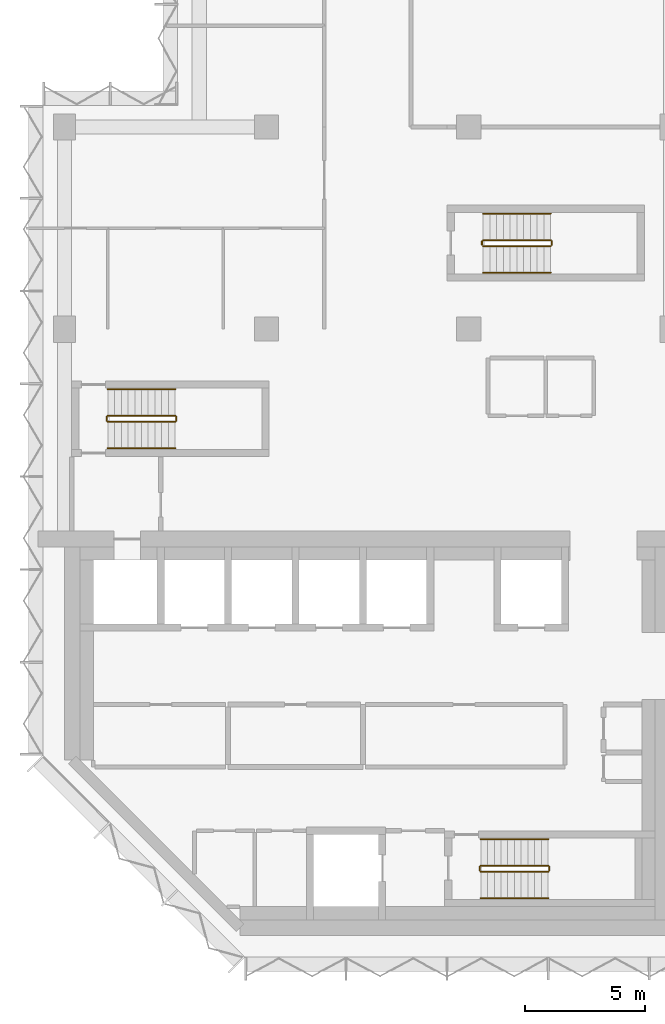
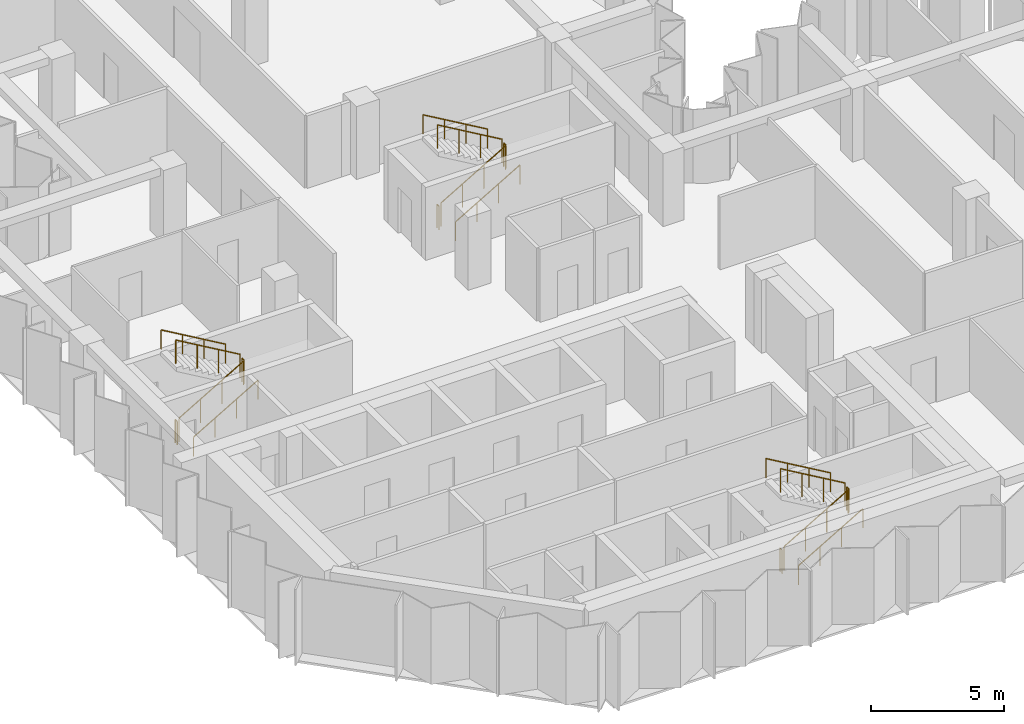
# One storey, part 9 of 10: 18 railings.
"""IFC4 building model written with IfcOpenShell, lengths in metres."""

from ifc_helpers import new_model, si_unit, direction, frame, origin, origin_2d, place, context, subcontext, project, spatial, circle, extrude, material, type_object, element, save


model = new_model("IFC4")

# Units and contexts
model_context = context("Model", 3, precision=1e-05, world=origin(), true_north=direction((0.0, 1.0)))
body_context = subcontext(model_context, "Body", "Model", "MODEL_VIEW")
ifc_project = project(units=[si_unit("LENGTHUNIT", "METRE"), si_unit("AREAUNIT", "SQUARE_METRE"), si_unit("VOLUMEUNIT", "CUBIC_METRE"), si_unit("PLANEANGLEUNIT", "RADIAN"), si_unit("MASSUNIT", "GRAM", prefix="KILO")], contexts=[model_context])

# Site, building, storey
site_placement = place(None, origin())
site = spatial("IfcSite", under=ifc_project, at=site_placement, CompositionType="ELEMENT")
building_placement = place(site_placement, origin())
building = spatial("IfcBuilding", under=site, at=building_placement, Name="Brevane Broadcast Tower", CompositionType="ELEMENT")
storey_placement = place(building_placement, frame((0.0, 0.0, 170.39990234375)))
storey = spatial("IfcBuildingStorey", under=building, at=storey_placement, Name="L42", CompositionType="ELEMENT", Elevation=170.39990234375)

# Railings
ifc_material = material(Name="Steel S355", Category="steel")
railing_type_1 = type_object("IfcRailingType", Name="Exit stair guard", PredefinedType="GUARDRAIL", material=ifc_material)
railing_1_placement = place(storey_placement, frame((1.800048828125, 21.35009765625, 0.163818359375)))
element("IfcRailing", 1, at=railing_1_placement, inside=storey, type_object=railing_type_1, Name="L42 ST-1 stair guard 1", PredefinedType="GUARDRAIL", context=body_context, shape_type="SweptSolid", body=[
    extrude(circle(Radius=0.02392578125, at=origin_2d()), frame((0.0, 0.0, 1.076171875), z_axis=(0.863393664356, 0.0, 0.504530851732), x_axis=(0.0, 1.0, 0.0)), (0.0, 0.0, 1.0), 3.2431640625),
    extrude(circle(Radius=0.02099609375, at=origin_2d()), origin(), (0.0, 0.0, 1.0), 1.052001953125),
    extrude(circle(Radius=0.02099609375, at=origin_2d()), frame((0.933349609375, 0.0, 0.54541015625)), (0.0, 0.0, 1.0), 1.052001953125),
    extrude(circle(Radius=0.02099609375, at=origin_2d()), frame((1.86669921875, 0.0, 1.0908203125)), (0.0, 0.0, 1.0), 1.052001953125),
    extrude(circle(Radius=0.02099609375, at=origin_2d()), frame((2.800048828125, 0.0, 1.63623046875)), (0.0, 0.0, 1.0), 1.052001953125),
])
railing_2_placement = place(storey_placement, frame((4.64990234375, 21.39990234375, 1.800048828125)))
element("IfcRailing", 2, at=railing_2_placement, inside=storey, type_object=railing_type_1, Name="L42 ST-1 stair guard 2", PredefinedType="GUARDRAIL", context=body_context, shape_type="SweptSolid", body=[
    extrude(circle(Radius=0.02392578125, at=origin_2d()), frame((0.0, 0.0, 1.076171875), z_axis=(0.0, 1.0, 0.0), x_axis=(-1.0, 0.0, 0.0)), (0.0, 0.0, 1.0), 0.150146484375),
    extrude(circle(Radius=0.02099609375, at=origin_2d()), origin(), (0.0, 0.0, 1.0), 1.052001953125),
    extrude(circle(Radius=0.02099609375, at=origin_2d()), frame((0.0, 0.150146484375, 0.0)), (0.0, 0.0, 1.0), 1.052001953125),
])
railing_3_placement = place(storey_placement, frame((4.60009765625, 21.60009765625, 1.963623046875)))
element("IfcRailing", 3, at=railing_3_placement, inside=storey, type_object=railing_type_1, Name="L42 ST-1 stair guard 3", PredefinedType="GUARDRAIL", context=body_context, shape_type="SweptSolid", body=[
    extrude(circle(Radius=0.02392578125, at=origin_2d()), frame((0.0, 0.0, 1.076171875), z_axis=(-0.863360870873, 0.0, 0.504586966384), x_axis=(0.0, -1.0, 0.0)), (0.0, 0.0, 1.0), 3.2431640625),
    extrude(circle(Radius=0.02099609375, at=origin_2d()), origin(), (0.0, 0.0, 1.0), 1.052001953125),
    extrude(circle(Radius=0.02099609375, at=origin_2d()), frame((-0.933349609375, 0.0, 0.54541015625)), (0.0, 0.0, 1.0), 1.052001953125),
    extrude(circle(Radius=0.02099609375, at=origin_2d()), frame((-1.86669921875, 0.0, 1.091064453125)), (0.0, 0.0, 1.0), 1.052001953125),
    extrude(circle(Radius=0.02099609375, at=origin_2d()), frame((-2.800048828125, 0.0, 1.636474609375)), (0.0, 0.0, 1.0), 1.052001953125),
])
railing_4_placement = place(storey_placement, frame((1.75, 21.39990234375, 0.0)))
element("IfcRailing", 4, at=railing_4_placement, inside=storey, type_object=railing_type_1, Name="L42 ST-1 stair guard 4", PredefinedType="GUARDRAIL", context=body_context, shape_type="SweptSolid", body=[
    extrude(circle(Radius=0.02392578125, at=origin_2d()), frame((0.0, 0.0, 1.076171875), z_axis=(0.0, 1.0, 0.0), x_axis=(-1.0, 0.0, 0.0)), (0.0, 0.0, 1.0), 0.150146484375),
    extrude(circle(Radius=0.02099609375, at=origin_2d()), origin(), (0.0, 0.0, 1.0), 1.052001953125),
    extrude(circle(Radius=0.02099609375, at=origin_2d()), frame((0.0, 0.150146484375, 0.0)), (0.0, 0.0, 1.0), 1.052001953125),
])
railing_5_placement = place(storey_placement, frame((17.300048828125, 2.64990234375, 0.163818359375)))
element("IfcRailing", 5, at=railing_5_placement, inside=storey, type_object=railing_type_1, Name="L42 ST-2 stair guard 1", PredefinedType="GUARDRAIL", context=body_context, shape_type="SweptSolid", body=[
    extrude(circle(Radius=0.02392578125, at=origin_2d()), frame((0.0, 0.0, 1.076171875), z_axis=(0.863393664356, 0.0, 0.504530851732), x_axis=(0.0, 1.0, 0.0)), (0.0, 0.0, 1.0), 3.2431640625),
    extrude(circle(Radius=0.02099609375, at=origin_2d()), origin(), (0.0, 0.0, 1.0), 1.052001953125),
    extrude(circle(Radius=0.02099609375, at=origin_2d()), frame((0.933349609375, 0.0, 0.54541015625)), (0.0, 0.0, 1.0), 1.052001953125),
    extrude(circle(Radius=0.02099609375, at=origin_2d()), frame((1.86669921875, 0.0, 1.0908203125)), (0.0, 0.0, 1.0), 1.052001953125),
    extrude(circle(Radius=0.02099609375, at=origin_2d()), frame((2.800048828125, 0.0, 1.63623046875)), (0.0, 0.0, 1.0), 1.052001953125),
])
railing_6_placement = place(storey_placement, frame((20.14990234375, 2.699951171875, 1.800048828125)))
element("IfcRailing", 6, at=railing_6_placement, inside=storey, type_object=railing_type_1, Name="L42 ST-2 stair guard 2", PredefinedType="GUARDRAIL", context=body_context, shape_type="SweptSolid", body=[
    extrude(circle(Radius=0.02392578125, at=origin_2d()), frame((0.0, 0.0, 1.076171875), z_axis=(0.0, 1.0, 0.0), x_axis=(-1.0, 0.0, 0.0)), (0.0, 0.0, 1.0), 0.150146484375),
    extrude(circle(Radius=0.02099609375, at=origin_2d()), origin(), (0.0, 0.0, 1.0), 1.052001953125),
    extrude(circle(Radius=0.02099609375, at=origin_2d()), frame((0.0, 0.150146484375, 0.0)), (0.0, 0.0, 1.0), 1.052001953125),
])
railing_7_placement = place(storey_placement, frame((20.10009765625, 2.89990234375, 1.963623046875)))
element("IfcRailing", 7, at=railing_7_placement, inside=storey, type_object=railing_type_1, Name="L42 ST-2 stair guard 3", PredefinedType="GUARDRAIL", context=body_context, shape_type="SweptSolid", body=[
    extrude(circle(Radius=0.02392578125, at=origin_2d()), frame((0.0, 0.0, 1.076171875), z_axis=(-0.863360870873, 0.0, 0.504586966384), x_axis=(0.0, -1.0, 0.0)), (0.0, 0.0, 1.0), 3.2431640625),
    extrude(circle(Radius=0.02099609375, at=origin_2d()), origin(), (0.0, 0.0, 1.0), 1.052001953125),
    extrude(circle(Radius=0.02099609375, at=origin_2d()), frame((-0.933349609375, 0.0, 0.54541015625)), (0.0, 0.0, 1.0), 1.052001953125),
    extrude(circle(Radius=0.02099609375, at=origin_2d()), frame((-1.86669921875, 0.0, 1.091064453125)), (0.0, 0.0, 1.0), 1.052001953125),
    extrude(circle(Radius=0.02099609375, at=origin_2d()), frame((-2.800048828125, 0.0, 1.636474609375)), (0.0, 0.0, 1.0), 1.052001953125),
])
railing_8_placement = place(storey_placement, frame((17.25, 2.699951171875, 0.0)))
element("IfcRailing", 8, at=railing_8_placement, inside=storey, type_object=railing_type_1, Name="L42 ST-2 stair guard 4", PredefinedType="GUARDRAIL", context=body_context, shape_type="SweptSolid", body=[
    extrude(circle(Radius=0.02392578125, at=origin_2d()), frame((0.0, 0.0, 1.076171875), z_axis=(0.0, 1.0, 0.0), x_axis=(-1.0, 0.0, 0.0)), (0.0, 0.0, 1.0), 0.150146484375),
    extrude(circle(Radius=0.02099609375, at=origin_2d()), origin(), (0.0, 0.0, 1.0), 1.052001953125),
    extrude(circle(Radius=0.02099609375, at=origin_2d()), frame((0.0, 0.150146484375, 0.0)), (0.0, 0.0, 1.0), 1.052001953125),
])
railing_9_placement = place(storey_placement, frame((17.39990234375, 28.64990234375, 0.163818359375)))
element("IfcRailing", 9, at=railing_9_placement, inside=storey, type_object=railing_type_1, Name="L42 ST-3 stair guard 1", PredefinedType="GUARDRAIL", context=body_context, shape_type="SweptSolid", body=[
    extrude(circle(Radius=0.02392578125, at=origin_2d()), frame((0.0, 0.0, 1.076171875), z_axis=(0.863393664356, 0.0, 0.504530851732), x_axis=(0.0, 1.0, 0.0)), (0.0, 0.0, 1.0), 3.2431640625),
    extrude(circle(Radius=0.02099609375, at=origin_2d()), origin(), (0.0, 0.0, 1.0), 1.052001953125),
    extrude(circle(Radius=0.02099609375, at=origin_2d()), frame((0.933349609375, 0.0, 0.54541015625)), (0.0, 0.0, 1.0), 1.052001953125),
    extrude(circle(Radius=0.02099609375, at=origin_2d()), frame((1.86669921875, 0.0, 1.0908203125)), (0.0, 0.0, 1.0), 1.052001953125),
    extrude(circle(Radius=0.02099609375, at=origin_2d()), frame((2.800048828125, 0.0, 1.63623046875)), (0.0, 0.0, 1.0), 1.052001953125),
])
railing_10_placement = place(storey_placement, frame((20.25, 28.699951171875, 1.800048828125)))
element("IfcRailing", 10, at=railing_10_placement, inside=storey, type_object=railing_type_1, Name="L42 ST-3 stair guard 2", PredefinedType="GUARDRAIL", context=body_context, shape_type="SweptSolid", body=[
    extrude(circle(Radius=0.02392578125, at=origin_2d()), frame((0.0, 0.0, 1.076171875), z_axis=(0.0, 1.0, 0.0), x_axis=(-1.0, 0.0, 0.0)), (0.0, 0.0, 1.0), 0.150146484375),
    extrude(circle(Radius=0.02099609375, at=origin_2d()), origin(), (0.0, 0.0, 1.0), 1.052001953125),
    extrude(circle(Radius=0.02099609375, at=origin_2d()), frame((0.0, 0.150146484375, 0.0)), (0.0, 0.0, 1.0), 1.052001953125),
])
railing_11_placement = place(storey_placement, frame((20.199951171875, 28.89990234375, 1.963623046875)))
element("IfcRailing", 11, at=railing_11_placement, inside=storey, type_object=railing_type_1, Name="L42 ST-3 stair guard 3", PredefinedType="GUARDRAIL", context=body_context, shape_type="SweptSolid", body=[
    extrude(circle(Radius=0.02392578125, at=origin_2d()), frame((0.0, 0.0, 1.076171875), z_axis=(-0.863360870873, 0.0, 0.504586966384), x_axis=(0.0, -1.0, 0.0)), (0.0, 0.0, 1.0), 3.2431640625),
    extrude(circle(Radius=0.02099609375, at=origin_2d()), origin(), (0.0, 0.0, 1.0), 1.052001953125),
    extrude(circle(Radius=0.02099609375, at=origin_2d()), frame((-0.933349609375, 0.0, 0.54541015625)), (0.0, 0.0, 1.0), 1.052001953125),
    extrude(circle(Radius=0.02099609375, at=origin_2d()), frame((-1.86669921875, 0.0, 1.091064453125)), (0.0, 0.0, 1.0), 1.052001953125),
    extrude(circle(Radius=0.02099609375, at=origin_2d()), frame((-2.800048828125, 0.0, 1.636474609375)), (0.0, 0.0, 1.0), 1.052001953125),
])
railing_12_placement = place(storey_placement, frame((17.35009765625, 28.699951171875, 0.0)))
element("IfcRailing", 12, at=railing_12_placement, inside=storey, type_object=railing_type_1, Name="L42 ST-3 stair guard 4", PredefinedType="GUARDRAIL", context=body_context, shape_type="SweptSolid", body=[
    extrude(circle(Radius=0.02392578125, at=origin_2d()), frame((0.0, 0.0, 1.076171875), z_axis=(0.0, 1.0, 0.0), x_axis=(-1.0, 0.0, 0.0)), (0.0, 0.0, 1.0), 0.150146484375),
    extrude(circle(Radius=0.02099609375, at=origin_2d()), origin(), (0.0, 0.0, 1.0), 1.052001953125),
    extrude(circle(Radius=0.02099609375, at=origin_2d()), frame((0.0, 0.150146484375, 0.0)), (0.0, 0.0, 1.0), 1.052001953125),
])
railing_type_2 = type_object("IfcRailingType", Name="Exit stair handrail", PredefinedType="HANDRAIL", material=ifc_material)
railing_13_placement = place(storey_placement, frame((1.800048828125, 20.25, 0.163818359375)))
element("IfcRailing", 13, at=railing_13_placement, inside=storey, type_object=railing_type_2, Name="L42 ST-1 stair handrail 1", PredefinedType="HANDRAIL", context=body_context, shape_type="SweptSolid", body=[
    extrude(circle(Radius=0.02392578125, at=origin_2d()), frame((0.0, 0.0, 0.8759765625), z_axis=(0.863393664356, 0.0, 0.504530851732), x_axis=(0.0, 1.0, 0.0)), (0.0, 0.0, 1.0), 3.2431640625),
    extrude(circle(Radius=0.02099609375, at=origin_2d()), origin(), (0.0, 0.0, 1.0), 0.851806640625),
    extrude(circle(Radius=0.02099609375, at=origin_2d()), frame((0.933349609375, 0.0, 0.54541015625)), (0.0, 0.0, 1.0), 0.851806640625),
    extrude(circle(Radius=0.02099609375, at=origin_2d()), frame((1.86669921875, 0.0, 1.0908203125)), (0.0, 0.0, 1.0), 0.851806640625),
    extrude(circle(Radius=0.02099609375, at=origin_2d()), frame((2.800048828125, 0.0, 1.63623046875)), (0.0, 0.0, 1.0), 0.851806640625),
])
railing_14_placement = place(storey_placement, frame((4.60009765625, 22.699951171875, 1.963623046875)))
element("IfcRailing", 14, at=railing_14_placement, inside=storey, type_object=railing_type_2, Name="L42 ST-1 stair handrail 2", PredefinedType="HANDRAIL", context=body_context, shape_type="SweptSolid", body=[
    extrude(circle(Radius=0.02392578125, at=origin_2d()), frame((0.0, 0.0, 0.8759765625), z_axis=(-0.863360870873, 0.0, 0.504586966384), x_axis=(0.0, -1.0, 0.0)), (0.0, 0.0, 1.0), 3.2431640625),
    extrude(circle(Radius=0.02099609375, at=origin_2d()), origin(), (0.0, 0.0, 1.0), 0.851806640625),
    extrude(circle(Radius=0.02099609375, at=origin_2d()), frame((-0.933349609375, 0.0, 0.54541015625)), (0.0, 0.0, 1.0), 0.851806640625),
    extrude(circle(Radius=0.02099609375, at=origin_2d()), frame((-1.86669921875, 0.0, 1.091064453125)), (0.0, 0.0, 1.0), 0.851806640625),
    extrude(circle(Radius=0.02099609375, at=origin_2d()), frame((-2.800048828125, 0.0, 1.636474609375)), (0.0, 0.0, 1.0), 0.851806640625),
])
railing_15_placement = place(storey_placement, frame((17.300048828125, 1.550048828125, 0.163818359375)))
element("IfcRailing", 15, at=railing_15_placement, inside=storey, type_object=railing_type_2, Name="L42 ST-2 stair handrail 1", PredefinedType="HANDRAIL", context=body_context, shape_type="SweptSolid", body=[
    extrude(circle(Radius=0.02392578125, at=origin_2d()), frame((0.0, 0.0, 0.8759765625), z_axis=(0.863393664356, 0.0, 0.504530851732), x_axis=(0.0, 1.0, 0.0)), (0.0, 0.0, 1.0), 3.2431640625),
    extrude(circle(Radius=0.02099609375, at=origin_2d()), origin(), (0.0, 0.0, 1.0), 0.851806640625),
    extrude(circle(Radius=0.02099609375, at=origin_2d()), frame((0.933349609375, 0.0, 0.54541015625)), (0.0, 0.0, 1.0), 0.851806640625),
    extrude(circle(Radius=0.02099609375, at=origin_2d()), frame((1.86669921875, 0.0, 1.0908203125)), (0.0, 0.0, 1.0), 0.851806640625),
    extrude(circle(Radius=0.02099609375, at=origin_2d()), frame((2.800048828125, 0.0, 1.63623046875)), (0.0, 0.0, 1.0), 0.851806640625),
])
railing_16_placement = place(storey_placement, frame((20.10009765625, 4.0, 1.963623046875)))
element("IfcRailing", 16, at=railing_16_placement, inside=storey, type_object=railing_type_2, Name="L42 ST-2 stair handrail 2", PredefinedType="HANDRAIL", context=body_context, shape_type="SweptSolid", body=[
    extrude(circle(Radius=0.02392578125, at=origin_2d()), frame((0.0, 0.0, 0.8759765625), z_axis=(-0.863360870873, 0.0, 0.504586966384), x_axis=(0.0, -1.0, 0.0)), (0.0, 0.0, 1.0), 3.2431640625),
    extrude(circle(Radius=0.02099609375, at=origin_2d()), origin(), (0.0, 0.0, 1.0), 0.851806640625),
    extrude(circle(Radius=0.02099609375, at=origin_2d()), frame((-0.933349609375, 0.0, 0.54541015625)), (0.0, 0.0, 1.0), 0.851806640625),
    extrude(circle(Radius=0.02099609375, at=origin_2d()), frame((-1.86669921875, 0.0, 1.091064453125)), (0.0, 0.0, 1.0), 0.851806640625),
    extrude(circle(Radius=0.02099609375, at=origin_2d()), frame((-2.800048828125, 0.0, 1.636474609375)), (0.0, 0.0, 1.0), 0.851806640625),
])
railing_17_placement = place(storey_placement, frame((17.39990234375, 27.550048828125, 0.163818359375)))
element("IfcRailing", 17, at=railing_17_placement, inside=storey, type_object=railing_type_2, Name="L42 ST-3 stair handrail 1", PredefinedType="HANDRAIL", context=body_context, shape_type="SweptSolid", body=[
    extrude(circle(Radius=0.02392578125, at=origin_2d()), frame((0.0, 0.0, 0.8759765625), z_axis=(0.863393664356, 0.0, 0.504530851732), x_axis=(0.0, 1.0, 0.0)), (0.0, 0.0, 1.0), 3.2431640625),
    extrude(circle(Radius=0.02099609375, at=origin_2d()), origin(), (0.0, 0.0, 1.0), 0.851806640625),
    extrude(circle(Radius=0.02099609375, at=origin_2d()), frame((0.933349609375, 0.0, 0.54541015625)), (0.0, 0.0, 1.0), 0.851806640625),
    extrude(circle(Radius=0.02099609375, at=origin_2d()), frame((1.86669921875, 0.0, 1.0908203125)), (0.0, 0.0, 1.0), 0.851806640625),
    extrude(circle(Radius=0.02099609375, at=origin_2d()), frame((2.800048828125, 0.0, 1.63623046875)), (0.0, 0.0, 1.0), 0.851806640625),
])
railing_18_placement = place(storey_placement, frame((20.199951171875, 30.0, 1.963623046875)))
element("IfcRailing", 18, at=railing_18_placement, inside=storey, type_object=railing_type_2, Name="L42 ST-3 stair handrail 2", PredefinedType="HANDRAIL", context=body_context, shape_type="SweptSolid", body=[
    extrude(circle(Radius=0.02392578125, at=origin_2d()), frame((0.0, 0.0, 0.8759765625), z_axis=(-0.863360870873, 0.0, 0.504586966384), x_axis=(0.0, -1.0, 0.0)), (0.0, 0.0, 1.0), 3.2431640625),
    extrude(circle(Radius=0.02099609375, at=origin_2d()), origin(), (0.0, 0.0, 1.0), 0.851806640625),
    extrude(circle(Radius=0.02099609375, at=origin_2d()), frame((-0.933349609375, 0.0, 0.54541015625)), (0.0, 0.0, 1.0), 0.851806640625),
    extrude(circle(Radius=0.02099609375, at=origin_2d()), frame((-1.86669921875, 0.0, 1.091064453125)), (0.0, 0.0, 1.0), 0.851806640625),
    extrude(circle(Radius=0.02099609375, at=origin_2d()), frame((-2.800048828125, 0.0, 1.636474609375)), (0.0, 0.0, 1.0), 0.851806640625),
])

save(model, "model.ifc")
